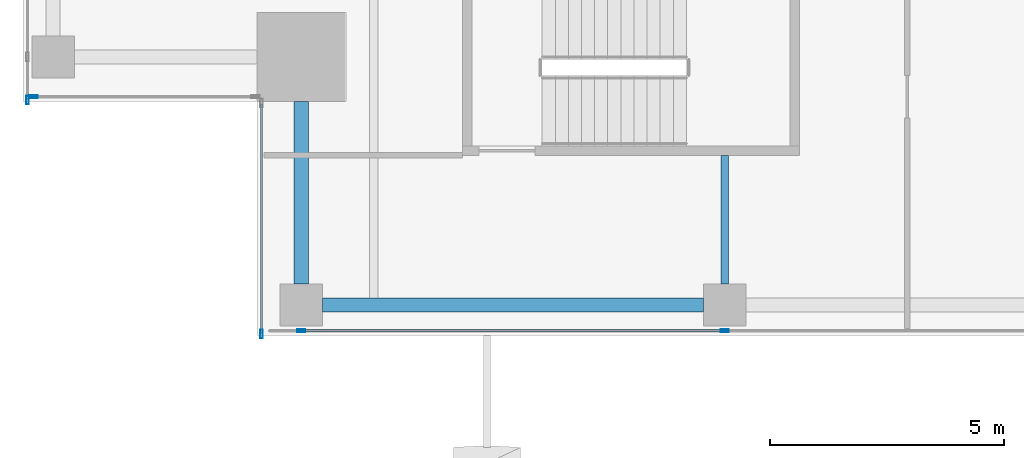
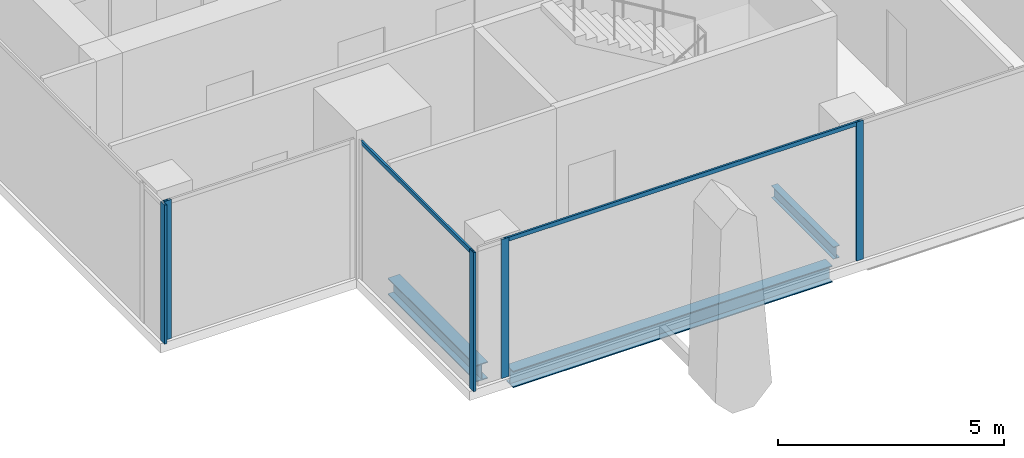
# One storey, part 2 of 35: 7 members, 3 beams, 4 elements without a shape of their own.
"""IFC4 building model written with IfcOpenShell, lengths in metres."""

from ifc_helpers import new_model, si_unit, direction, frame, origin, origin_2d, place, context, subcontext, project, spatial, hollow_rectangle, i_section, extrude, source, transform, mapped, material, material_profile, profile_set, type_object, element, aggregate, save


model = new_model("IFC4")

# Units and contexts
model_context = context("Model", 3, precision=1e-05, world=origin(), true_north=direction((0.0, 1.0)))
body_context = subcontext(model_context, "Body", "Model", "MODEL_VIEW")
ifc_project = project(units=[si_unit("LENGTHUNIT", "METRE"), si_unit("AREAUNIT", "SQUARE_METRE"), si_unit("VOLUMEUNIT", "CUBIC_METRE"), si_unit("PLANEANGLEUNIT", "RADIAN"), si_unit("MASSUNIT", "GRAM", prefix="KILO")], contexts=[model_context])

# Site, building, storey
site_placement = place(None, origin())
site = spatial("IfcSite", under=ifc_project, at=site_placement, CompositionType="ELEMENT")
building_placement = place(site_placement, origin())
building = spatial("IfcBuilding", under=site, at=building_placement, Name="Khomas Fold Tower", CompositionType="ELEMENT")
storey_placement = place(building_placement, frame((0.0, 0.0, 250.199951171875)))
storey = spatial("IfcBuildingStorey", under=building, at=storey_placement, Name="L56", CompositionType="ELEMENT", Elevation=250.199951171875)

# Beams
ifc_material_1 = material(Name="Steel S355", Category="steel")
ifc_material_profile_1 = material_profile(ifc_material_1, i_section(OverallWidth=0.159912109375, OverallDepth=0.330078125, WebThickness=0.007568359375, FlangeThickness=0.011474609375, at=origin_2d()), Name="IPE 330")
ifc_profile_set_1 = profile_set([ifc_material_profile_1], Name="Steel S355")
beam_type_1 = type_object("IfcBeamType", Name="IPE 330 beam JB1", PredefinedType="BEAM", material=ifc_profile_set_1)
shared_shape_1 = source(origin(), body_context, "Body", "SweptSolid", [
    extrude(i_section(OverallWidth=0.159912109375, OverallDepth=0.330078125, WebThickness=0.007568359375, FlangeThickness=0.011474609375, at=origin_2d()), origin(), (0.0, 0.0, 1.0), 2.75),
])
beam_1_placement = place(storey_placement, frame((19.5, 5.60009765625, -0.4150390625), z_axis=(0.0, 1.0, 0.0), x_axis=(-1.0, 0.0, 0.0)))
element("IfcBeam", 1, at=beam_1_placement, inside=storey, type_object=beam_type_1, Name="JB1", PredefinedType="BEAM", context=body_context, shape_type="MappedRepresentation", body=[
    mapped(shared_shape_1, transform((0.0, 0.0, 0.0))),
])
ifc_material_2 = material(Name="Steel S355", Category="steel")
ifc_material_profile_2 = material_profile(ifc_material_2, i_section(OverallWidth=0.300048828125, OverallDepth=0.449951171875, WebThickness=0.013916015625, FlangeThickness=0.02587890625, at=origin_2d()), Name="HE 450 B")
ifc_profile_set_2 = profile_set([ifc_material_profile_2], Name="Steel S355")
beam_type_2 = type_object("IfcBeamType", Name="HE 450 B spandrel SB4", PredefinedType="SPANDREL", material=ifc_profile_set_2)
shared_shape_2 = source(origin(), body_context, "Body", "SweptSolid", [
    extrude(i_section(OverallWidth=0.300048828125, OverallDepth=0.449951171875, WebThickness=0.013916015625, FlangeThickness=0.02587890625, at=origin_2d()), origin(), (0.0, 0.0, 1.0), 8.150146484375),
])
beam_2_placement = place(storey_placement, frame((10.89990234375, 5.14990234375, -0.474853515625), z_axis=(1.0, 0.0, 0.0), x_axis=(0.0, 1.0, 0.0)))
element("IfcBeam", 2, at=beam_2_placement, inside=storey, type_object=beam_type_2, Name="SB4", PredefinedType="SPANDREL", context=body_context, shape_type="MappedRepresentation", body=[
    mapped(shared_shape_2, transform((0.0, 0.0, 0.0))),
])
shared_shape_3 = source(origin(), body_context, "Body", "SweptSolid", [
    extrude(i_section(OverallWidth=0.300048828125, OverallDepth=0.449951171875, WebThickness=0.013916015625, FlangeThickness=0.02587890625, at=origin_2d()), origin(), (0.0, 0.0, 1.0), 3.89990234375),
])
beam_3_placement = place(storey_placement, frame((10.449951171875, 5.60009765625, -0.474853515625), z_axis=(0.0, 1.0, 0.0), x_axis=(-1.0, 0.0, 0.0)))
element("IfcBeam", 3, at=beam_3_placement, inside=storey, type_object=beam_type_2, Name="SB4", PredefinedType="SPANDREL", context=body_context, shape_type="MappedRepresentation", body=[
    mapped(shared_shape_3, transform((0.0, 0.0, 0.0))),
])

# Curtain wall, members
ifc_material_3 = material(Name="Aluminium framed double glazing", Category="aluminium")
curtain_wall_type = type_object("IfcCurtainWallType", Name="SK-Unitised clear-glass wall, office floors CW2", PredefinedType="NOTDEFINED", material=ifc_material_3)
curtain_wall_1_placement = place(storey_placement, origin())
curtain_wall_1 = element("IfcCurtainWall", 4, at=curtain_wall_1_placement, inside=storey, type_object=curtain_wall_type, Name="CW2 run L56 00-0", PredefinedType="NOTDEFINED")
ifc_material_4 = material(Name="Aluminium", Category="aluminium")
ifc_material_profile_3 = material_profile(ifc_material_4, hollow_rectangle(XDim=0.06005859375, YDim=0.179931640625, WallThickness=0.00390625, at=origin_2d()), Name="SK-Unitised clear-glass wall, office floors mullion CW2-M")
ifc_profile_set_3 = profile_set([ifc_material_profile_3], Name="Aluminium")
member_type_1 = type_object("IfcMemberType", Name="SK-Unitised clear-glass wall, office floors mullion CW2-M", PredefinedType="MULLION", material=ifc_profile_set_3)
shared_shape_4 = source(origin(), body_context, "Body", "SweptSolid", [
    extrude(hollow_rectangle(XDim=0.06005859375, YDim=0.179931640625, WallThickness=0.00390625, at=origin_2d()), origin(), (0.0, 0.0, 1.0), 3.75),
])
member_1_placement = place(storey_placement, frame((10.449951171875, 4.60009765625, 0.0), z_axis=(0.0, 0.0, 1.0), x_axis=(0.0, 1.0, 0.0)))
member_1 = element("IfcMember", 5, at=member_1_placement, type_object=member_type_1, Name="CW2 mullion 2", PredefinedType="MULLION", context=body_context, shape_type="MappedRepresentation", body=[
    mapped(shared_shape_4, transform((0.0, 0.0, 0.0))),
])
member_2_placement = place(storey_placement, frame((19.5, 4.60009765625, 0.0), z_axis=(0.0, 0.0, 1.0), x_axis=(0.0, 1.0, 0.0)))
member_2 = element("IfcMember", 6, at=member_2_placement, type_object=member_type_1, Name="CW2 mullion 3", PredefinedType="MULLION", context=body_context, shape_type="MappedRepresentation", body=[
    mapped(shared_shape_4, transform((0.0, 0.0, 0.0))),
])

# Curtain wall, member
curtain_wall_2_placement = place(storey_placement, origin())
curtain_wall_2 = element("IfcCurtainWall", 7, at=curtain_wall_2_placement, inside=storey, type_object=curtain_wall_type, Name="CW2 run L56 09-0", PredefinedType="NOTDEFINED")
member_3_placement = place(storey_placement, frame((4.60009765625, 9.530029296875, 0.0), z_axis=(0.0, 0.0, 1.0), x_axis=(1.0, 0.0, 0.0)))
member_3 = element("IfcMember", 8, at=member_3_placement, type_object=member_type_1, Name="CW2 mullion 7", PredefinedType="MULLION", context=body_context, shape_type="MappedRepresentation", body=[
    mapped(shared_shape_4, transform((0.0, 0.0, 0.0))),
])
aggregate(curtain_wall_2, [member_3])

curtain_wall_3_placement = place(storey_placement, origin())
curtain_wall_3 = element("IfcCurtainWall", 9, at=curtain_wall_3_placement, inside=storey, type_object=curtain_wall_type, Name="CW2 corner return L56 10", PredefinedType="NOTDEFINED")
member_4_placement = place(storey_placement, frame((4.72998046875, 9.60009765625, 0.0), z_axis=(0.0, 0.0, 1.0), x_axis=(0.0, 1.0, 0.0)))
member_4 = element("IfcMember", 10, at=member_4_placement, type_object=member_type_1, Name="CW2 mullion 1", PredefinedType="MULLION", context=body_context, shape_type="MappedRepresentation", body=[
    mapped(shared_shape_4, transform((0.0, 0.0, 0.0))),
])
aggregate(curtain_wall_3, [member_4])

curtain_wall_4_placement = place(storey_placement, origin())
curtain_wall_4 = element("IfcCurtainWall", 11, at=curtain_wall_4_placement, inside=storey, type_object=curtain_wall_type, Name="CW2 corner return L56 11", PredefinedType="NOTDEFINED")
member_5_placement = place(storey_placement, frame((9.60009765625, 4.530029296875, 0.0), z_axis=(0.0, 0.0, 1.0), x_axis=(1.0, 0.0, 0.0)))
member_5 = element("IfcMember", 12, at=member_5_placement, type_object=member_type_1, Name="CW2 mullion 2", PredefinedType="MULLION", context=body_context, shape_type="MappedRepresentation", body=[
    mapped(shared_shape_4, transform((0.0, 0.0, 0.0))),
])

# Member
ifc_material_5 = material(Name="Aluminium", Category="aluminium")
ifc_material_profile_4 = material_profile(ifc_material_5, hollow_rectangle(XDim=0.050048828125, YDim=0.110107421875, WallThickness=0.00390625, at=origin_2d()), Name="SK-Unitised clear-glass wall, office floors transom CW2-T")
ifc_profile_set_4 = profile_set([ifc_material_profile_4], Name="Aluminium")
member_type_2 = type_object("IfcMemberType", Name="SK-Unitised clear-glass wall, office floors transom CW2-T", PredefinedType="USERDEFINED", material=ifc_profile_set_4)
shared_shape_5 = source(origin(), body_context, "Body", "SweptSolid", [
    extrude(hollow_rectangle(XDim=0.050048828125, YDim=0.110107421875, WallThickness=0.00390625, at=origin_2d()), origin(), (0.0, 0.0, 1.0), 8.989990234375),
])
member_6_placement = place(storey_placement, frame((10.47998046875, 4.60009765625, 3.695068359375), z_axis=(1.0, 0.0, 0.0), x_axis=(0.0, 1.0, 0.0)))
member_6 = element("IfcMember", 13, at=member_6_placement, type_object=member_type_2, Name="CW2 transom 2", ObjectType="TRANSOM", PredefinedType="USERDEFINED", context=body_context, shape_type="MappedRepresentation", body=[
    mapped(shared_shape_5, transform((0.0, 0.0, 0.0))),
])

aggregate(curtain_wall_1, [member_1, member_2, member_6])

shared_shape_6 = source(origin(), body_context, "Body", "SweptSolid", [
    extrude(hollow_rectangle(XDim=0.050048828125, YDim=0.110107421875, WallThickness=0.00390625, at=origin_2d()), origin(), (0.0, 0.0, 1.0), 4.8798828125),
])
member_7_placement = place(storey_placement, frame((9.60009765625, 9.43994140625, 3.695068359375), z_axis=(0.0, -1.0, 0.0), x_axis=(1.0, 0.0, 0.0)))
member_7 = element("IfcMember", 14, at=member_7_placement, type_object=member_type_2, Name="CW2 transom 1", ObjectType="TRANSOM", PredefinedType="USERDEFINED", context=body_context, shape_type="MappedRepresentation", body=[
    mapped(shared_shape_6, transform((0.0, 0.0, 0.0))),
])

aggregate(curtain_wall_4, [member_5, member_7])

save(model, "model.ifc")
